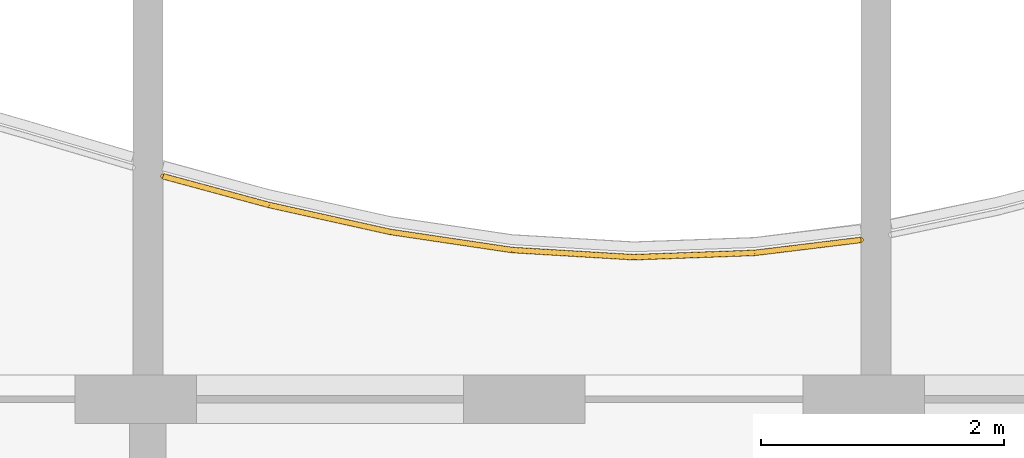
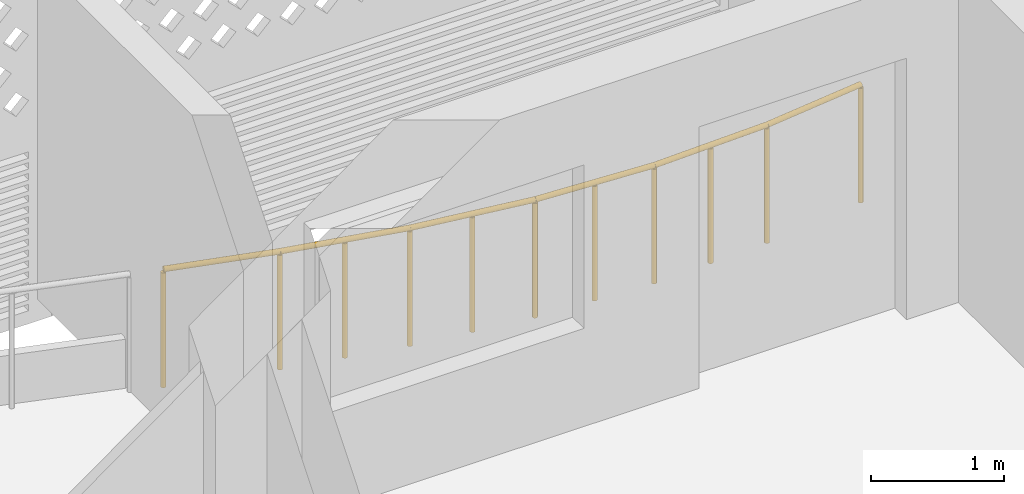
# One storey, part 21 of 32: 1 railing.
"""IFC4 building model written with IfcOpenShell, lengths in metres."""

from ifc_helpers import new_model, si_unit, direction, frame, origin, origin_2d, place, context, subcontext, project, spatial, circle, extrude, material, type_object, element, save


model = new_model("IFC4")

# Units and contexts
model_context = context("Model", 3, precision=1e-05, world=origin(), true_north=direction((0.0, 1.0)))
body_context = subcontext(model_context, "Body", "Model", "MODEL_VIEW")
ifc_project = project(units=[si_unit("LENGTHUNIT", "METRE"), si_unit("AREAUNIT", "SQUARE_METRE"), si_unit("VOLUMEUNIT", "CUBIC_METRE"), si_unit("PLANEANGLEUNIT", "RADIAN"), si_unit("MASSUNIT", "GRAM", prefix="KILO")], contexts=[model_context])

# Site, building, storey
site_placement = place(None, origin())
site = spatial("IfcSite", under=ifc_project, at=site_placement, CompositionType="ELEMENT")
building_placement = place(site_placement, origin())
building = spatial("IfcBuilding", under=site, at=building_placement, Name="Poui Terraces", CompositionType="ELEMENT")
storey_placement = place(building_placement, frame((0.0, 0.0, 122.39990234375)))
storey = spatial("IfcBuildingStorey", under=building, at=storey_placement, Name="L33", CompositionType="ELEMENT", Elevation=122.39990234375)

# Railing
ifc_material = material(Name="Painted steel fretwork", Category="steel")
railing_type = type_object("IfcRailingType", Name="BALCONY GUARD 1100", PredefinedType="GUARDRAIL", material=ifc_material)
railing_placement = place(storey_placement, frame((30.125, 44.237548828125, 0.0)))
element("IfcRailing", 1, at=railing_placement, inside=storey, type_object=railing_type, Name="BALCONY GUARD", PredefinedType="GUARDRAIL", context=body_context, shape_type="SweptSolid", body=[
    extrude(circle(Radius=0.02392578125, at=origin_2d()), frame((0.0, 0.0, 1.076171875), z_axis=(0.965203717149, -0.261499109752, 0.0), x_axis=(0.261499109752, 0.965203717149, 0.0)), (0.0, 0.0, 1.0), 0.906494140625),
    extrude(circle(Radius=0.02392578125, at=origin_2d()), frame((0.875, -0.237060546875, 1.076171875), z_axis=(0.976248709224, -0.216652850753, 0.0), x_axis=(0.216652850753, 0.976248709224, 0.0)), (0.0, 0.0, 1.0), 1.0244140625),
    extrude(circle(Radius=0.02392578125, at=origin_2d()), frame((1.875, -0.458984375, 1.076171875), z_axis=(0.989161931015, -0.146828724135, 0.0), x_axis=(0.146828724135, 0.989161931015, 0.0)), (0.0, 0.0, 1.0), 1.010986328125),
    extrude(circle(Radius=0.02392578125, at=origin_2d()), frame((2.875, -0.607421875, 1.076171875), z_axis=(0.998244834412, -0.05922204462, 0.0), x_axis=(0.05922204462, 0.998244834412, 0.0)), (0.0, 0.0, 1.0), 1.001708984375),
    extrude(circle(Radius=0.02392578125, at=origin_2d()), frame((3.875, -0.666748046875, 1.076171875), z_axis=(0.999365338401, 0.035621909035, 0.0), x_axis=(-0.035621909035, 0.999365338401, 0.0)), (0.0, 0.0, 1.0), 1.000732421875),
    extrude(circle(Radius=0.02392578125, at=origin_2d()), frame((4.875, -0.631103515625, 1.076171875), z_axis=(0.992648312578, 0.121034406416, 0.0), x_axis=(-0.121034406416, 0.992648312578, 0.0)), (0.0, 0.0, 1.0), 0.881591796875),
    extrude(circle(Radius=0.02099609375, at=origin_2d()), origin(), (0.0, 0.0, 1.0), 1.052001953125),
    extrude(circle(Radius=0.02099609375, at=origin_2d()), frame((0.875, -0.237060546875, 0.0)), (0.0, 0.0, 1.0), 1.052001953125),
    extrude(circle(Radius=0.02099609375, at=origin_2d()), frame((1.375, -0.34814453125, 0.0)), (0.0, 0.0, 1.0), 1.052001953125),
    extrude(circle(Radius=0.02099609375, at=origin_2d()), frame((1.875, -0.458984375, 0.0)), (0.0, 0.0, 1.0), 1.052001953125),
    extrude(circle(Radius=0.02099609375, at=origin_2d()), frame((2.375, -0.533203125, 0.0)), (0.0, 0.0, 1.0), 1.052001953125),
    extrude(circle(Radius=0.02099609375, at=origin_2d()), frame((2.875, -0.607421875, 0.0)), (0.0, 0.0, 1.0), 1.052001953125),
    extrude(circle(Radius=0.02099609375, at=origin_2d()), frame((3.375, -0.63720703125, 0.0)), (0.0, 0.0, 1.0), 1.052001953125),
    extrude(circle(Radius=0.02099609375, at=origin_2d()), frame((3.875, -0.666748046875, 0.0)), (0.0, 0.0, 1.0), 1.052001953125),
    extrude(circle(Radius=0.02099609375, at=origin_2d()), frame((4.375, -0.64892578125, 0.0)), (0.0, 0.0, 1.0), 1.052001953125),
    extrude(circle(Radius=0.02099609375, at=origin_2d()), frame((4.875, -0.631103515625, 0.0)), (0.0, 0.0, 1.0), 1.052001953125),
    extrude(circle(Radius=0.02099609375, at=origin_2d()), frame((5.75, -0.5244140625, 0.0)), (0.0, 0.0, 1.0), 1.052001953125),
])

save(model, "model.ifc")
